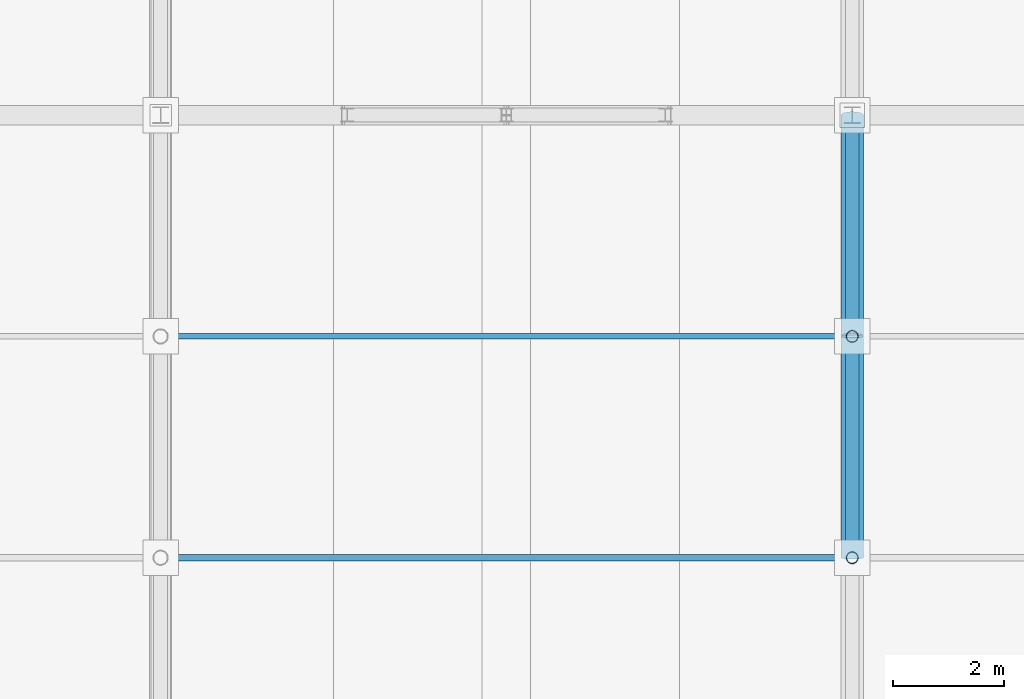
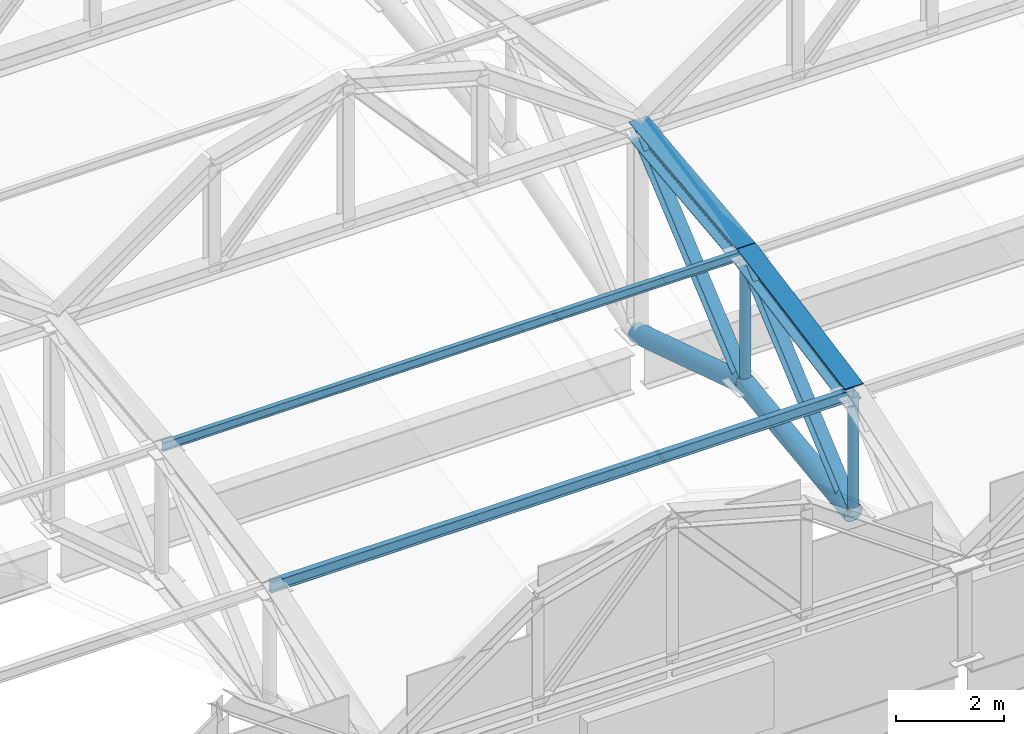
# One storey, part 19 of 117: 10 members.
"""IFC4 building model written with IfcOpenShell, lengths in metres."""

from ifc_helpers import new_model, si_unit, direction, frame, origin, origin_2d, place, context, subcontext, project, spatial, hollow_circle, i_section, extrude, material, material_profile, profile_set, type_object, element, save


model = new_model("IFC4")

# Units and contexts
model_context = context("Model", 3, precision=1e-05, world=origin(), true_north=direction((0.0, 1.0)))
body_context = subcontext(model_context, "Body", "Model", "MODEL_VIEW")
ifc_project = project(units=[si_unit("LENGTHUNIT", "METRE"), si_unit("AREAUNIT", "SQUARE_METRE"), si_unit("VOLUMEUNIT", "CUBIC_METRE"), si_unit("PLANEANGLEUNIT", "RADIAN"), si_unit("MASSUNIT", "GRAM", prefix="KILO")], contexts=[model_context])

# Site, building, storey
site_placement = place(None, origin())
site = spatial("IfcSite", under=ifc_project, at=site_placement, CompositionType="ELEMENT")
building_placement = place(site_placement, origin())
building = spatial("IfcBuilding", under=site, at=building_placement, Name="Kazenohara Klinker Stadium", CompositionType="ELEMENT")
storey_placement = place(building_placement, frame((0.0, 0.0, 31.199951171875)))
storey = spatial("IfcBuildingStorey", under=building, at=storey_placement, Name="RF", CompositionType="ELEMENT", Elevation=31.199951171875)

# Members
ifc_material = material(Name="Steel S355", Category="steel")
ifc_material_profile_1 = material_profile(ifc_material, i_section(OverallWidth=0.25, OverallDepth=0.25, WebThickness=0.009033203125, FlangeThickness=0.013916015625, FilletRadius=0.012939453125, at=origin_2d()), Name="H-250x250x9x14")
ifc_profile_set_1 = profile_set([ifc_material_profile_1], Name="Steel S355")
member_type_1 = type_object("IfcMemberType", Name="MEM-BRC02", PredefinedType="BRACE", material=ifc_profile_set_1)
member_1_placement = place(storey_placement, frame((86.5, 28.0, 0.75), z_axis=(0.0, 0.757253091298, 0.653121547432), x_axis=(-1.0, 0.0, 0.0)))
element("IfcMember", 1, at=member_1_placement, inside=storey, type_object=member_type_1, Name="ROOF TRUSS RT-S03 web diagonal 2", PredefinedType="BRACE", context=body_context, shape_type="SweptSolid", body=[
    extrude(i_section(OverallWidth=0.25, OverallDepth=0.25, WebThickness=0.009033203125, FlangeThickness=0.013916015625, FilletRadius=0.012939453125, at=origin_2d()), origin(), (0.0, 0.0, 1.0), 5.2822265625),
])
member_2_placement = place(storey_placement, frame((86.5, 32.0, 1.25), z_axis=(0.0, 0.761925548551, 0.647664618815), x_axis=(-1.0, 0.0, 0.0)))
element("IfcMember", 2, at=member_2_placement, inside=storey, type_object=member_type_1, Name="ROOF TRUSS RT-S03 web diagonal 3", PredefinedType="BRACE", context=body_context, shape_type="SweptSolid", body=[
    extrude(i_section(OverallWidth=0.25, OverallDepth=0.25, WebThickness=0.009033203125, FlangeThickness=0.013916015625, FilletRadius=0.012939453125, at=origin_2d()), origin(), (0.0, 0.0, 1.0), 5.249755859375),
])
ifc_material_profile_2 = material_profile(ifc_material, i_section(OverallWidth=0.39990234375, OverallDepth=0.39990234375, WebThickness=0.012939453125, FlangeThickness=0.02099609375, FilletRadius=0.02197265625, at=origin_2d()), Name="H-400x400x13x21")
ifc_profile_set_2 = profile_set([ifc_material_profile_2], Name="Steel S355")
member_type_2 = type_object("IfcMemberType", Name="MEM-CHD01", PredefinedType="CHORD", material=ifc_profile_set_2)
member_3_placement = place(storey_placement, frame((86.5, 28.0, 3.449951171875), z_axis=(0.0, 0.982872186934, 0.18428853505), x_axis=(-1.0, 0.0, 0.0)))
element("IfcMember", 3, at=member_3_placement, inside=storey, type_object=member_type_2, Name="ROOF TRUSS RT-S03 top arched chord 2", PredefinedType="CHORD", context=body_context, shape_type="SweptSolid", body=[
    extrude(i_section(OverallWidth=0.39990234375, OverallDepth=0.39990234375, WebThickness=0.012939453125, FlangeThickness=0.02099609375, FilletRadius=0.02197265625, at=origin_2d()), origin(), (0.0, 0.0, 1.0), 4.06982421875),
])
member_4_placement = place(storey_placement, frame((86.5, 32.0, 4.199951171875), z_axis=(0.0, 0.993725924527, 0.111842688283), x_axis=(-1.0, 0.0, 0.0)))
element("IfcMember", 4, at=member_4_placement, inside=storey, type_object=member_type_2, Name="ROOF TRUSS RT-S03 top arched chord 3", PredefinedType="CHORD", context=body_context, shape_type="SweptSolid", body=[
    extrude(i_section(OverallWidth=0.39990234375, OverallDepth=0.39990234375, WebThickness=0.012939453125, FlangeThickness=0.02099609375, FilletRadius=0.02197265625, at=origin_2d()), origin(), (0.0, 0.0, 1.0), 4.025146484375),
])
ifc_material_profile_3 = material_profile(ifc_material, hollow_circle(Radius=0.203125, WallThickness=0.011962890625, at=origin_2d()), Name="CHS-406.4x12")
ifc_profile_set_3 = profile_set([ifc_material_profile_3], Name="Steel S355")
member_type_3 = type_object("IfcMemberType", Name="MEM-CHD03", PredefinedType="CHORD", material=ifc_profile_set_3)
member_5_placement = place(storey_placement, frame((86.5, 28.0, 0.75), z_axis=(0.0, 0.992277876714, 0.124034734589), x_axis=(-1.0, 0.0, 0.0)))
element("IfcMember", 5, at=member_5_placement, inside=storey, type_object=member_type_3, Name="ROOF TRUSS RT-S03 bottom arched chord 2", PredefinedType="CHORD", context=body_context, shape_type="SweptSolid", body=[
    extrude(hollow_circle(Radius=0.203125, WallThickness=0.011962890625, at=origin_2d()), origin(), (0.0, 0.0, 1.0), 4.03125),
])
member_6_placement = place(storey_placement, frame((86.5, 32.0, 1.25), z_axis=(0.0, 0.953112016541, -0.302617719119), x_axis=(-1.0, 0.0, 0.0)))
element("IfcMember", 6, at=member_6_placement, inside=storey, type_object=member_type_3, Name="ROOF TRUSS RT-S03 bottom arched chord 3", PredefinedType="CHORD", context=body_context, shape_type="SweptSolid", body=[
    extrude(hollow_circle(Radius=0.203125, WallThickness=0.011962890625, at=origin_2d()), origin(), (0.0, 0.0, 1.0), 4.19677734375),
])
ifc_material_profile_4 = material_profile(ifc_material, i_section(OverallWidth=0.125, OverallDepth=0.25, WebThickness=0.006103515625, FlangeThickness=0.009033203125, FilletRadius=0.008056640625, at=origin_2d()), Name="H-250x125x6x9")
ifc_profile_set_4 = profile_set([ifc_material_profile_4], Name="Steel S355")
member_type_4 = type_object("IfcMemberType", Name="MEM-PUR01", PredefinedType="PURLIN", material=ifc_profile_set_4)
member_7_placement = place(storey_placement, frame((74.0, 28.0, 3.469970703125), z_axis=(1.0, 0.0, 0.0), x_axis=(0.0, 1.0, 0.0)))
element("IfcMember", 7, at=member_7_placement, inside=storey, type_object=member_type_4, Name="Canopy valley tie purlin PR01 S-02-N1", PredefinedType="PURLIN", context=body_context, shape_type="SweptSolid", body=[
    extrude(i_section(OverallWidth=0.125, OverallDepth=0.25, WebThickness=0.006103515625, FlangeThickness=0.009033203125, FilletRadius=0.008056640625, at=origin_2d()), origin(), (0.0, 0.0, 1.0), 12.5),
])
ifc_material_profile_5 = material_profile(ifc_material, i_section(OverallWidth=0.10009765625, OverallDepth=0.199951171875, WebThickness=0.005615234375, FlangeThickness=0.008056640625, FilletRadius=0.008056640625, at=origin_2d()), Name="H-200x100x5.5x8")
ifc_profile_set_5 = profile_set([ifc_material_profile_5], Name="Steel S355")
member_type_5 = type_object("IfcMemberType", Name="MEM-PUR02", PredefinedType="PURLIN", material=ifc_profile_set_5)
member_8_placement = place(storey_placement, frame((74.0, 32.0, 4.219970703125), z_axis=(1.0, 0.0, 0.0), x_axis=(0.0, 1.0, 0.0)))
element("IfcMember", 8, at=member_8_placement, inside=storey, type_object=member_type_5, Name="Canopy valley tie purlin PR02 S-02-N2", PredefinedType="PURLIN", context=body_context, shape_type="SweptSolid", body=[
    extrude(i_section(OverallWidth=0.10009765625, OverallDepth=0.199951171875, WebThickness=0.005615234375, FlangeThickness=0.008056640625, FilletRadius=0.008056640625, at=origin_2d()), origin(), (0.0, 0.0, 1.0), 12.5),
])
ifc_material_profile_6 = material_profile(ifc_material, hollow_circle(Radius=0.108154296875, WallThickness=0.008056640625, at=origin_2d()), Name="CHS-216.3x8")
ifc_profile_set_6 = profile_set([ifc_material_profile_6], Name="Steel S355")
member_type_6 = type_object("IfcMemberType", Name="MEM-STR04", PredefinedType="STRUT", material=ifc_profile_set_6)
member_9_placement = place(storey_placement, frame((86.5, 28.0, 0.75), z_axis=(0.0, 0.0, 1.0), x_axis=(1.0, 0.0, 0.0)))
element("IfcMember", 9, at=member_9_placement, inside=storey, type_object=member_type_6, Name="ROOF TRUSS RT-S03 web post 2", PredefinedType="STRUT", context=body_context, shape_type="SweptSolid", body=[
    extrude(hollow_circle(Radius=0.108154296875, WallThickness=0.008056640625, at=origin_2d()), origin(), (0.0, 0.0, 1.0), 2.699951171875),
])
member_10_placement = place(storey_placement, frame((86.5, 32.0, 1.25), z_axis=(0.0, 0.0, 1.0), x_axis=(1.0, 0.0, 0.0)))
element("IfcMember", 10, at=member_10_placement, inside=storey, type_object=member_type_6, Name="ROOF TRUSS RT-S03 web post 3", PredefinedType="STRUT", context=body_context, shape_type="SweptSolid", body=[
    extrude(hollow_circle(Radius=0.108154296875, WallThickness=0.008056640625, at=origin_2d()), origin(), (0.0, 0.0, 1.0), 2.949951171875),
])

save(model, "model.ifc")
